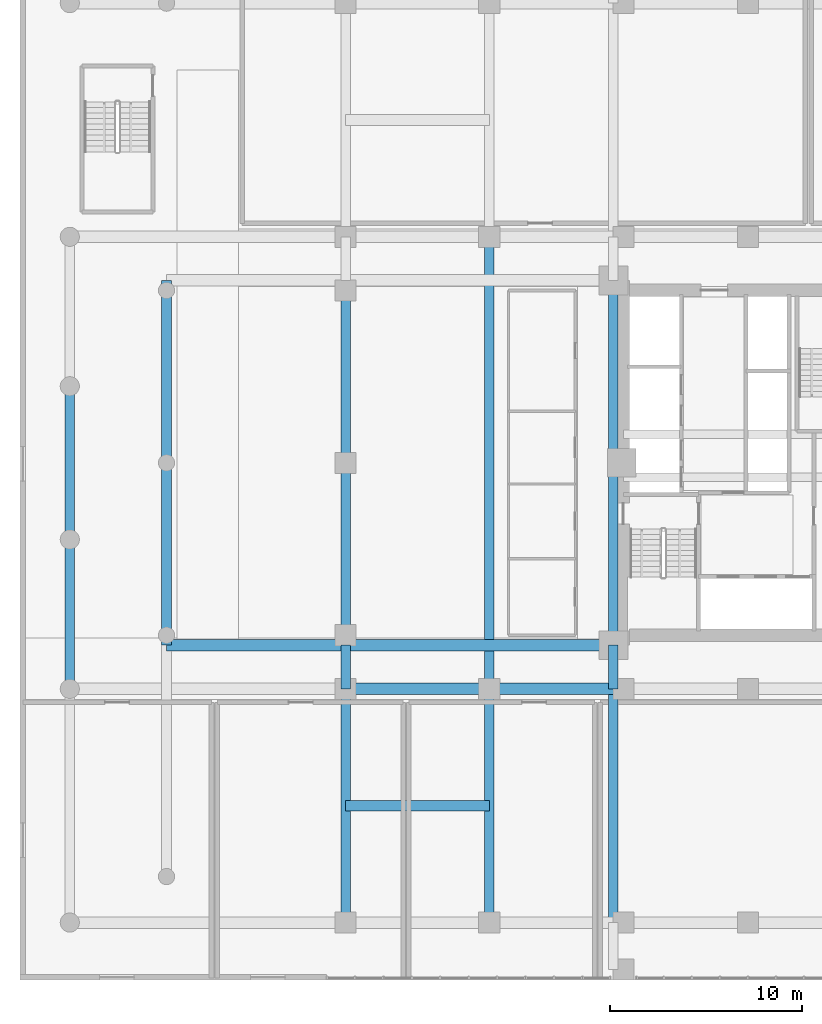
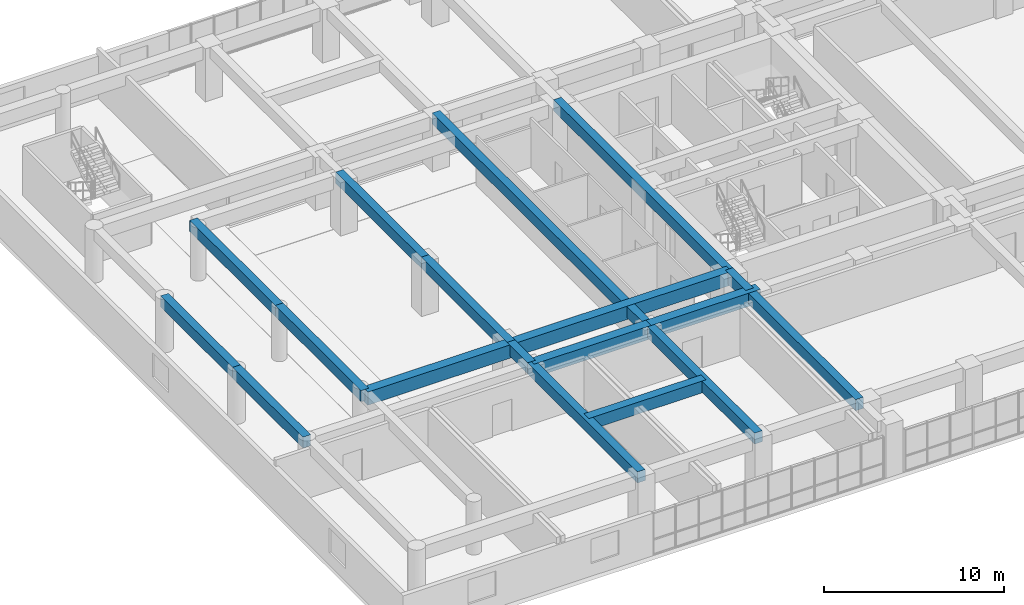
# One storey, part 5 of 30: 18 beams.
"""IFC4 building model written with IfcOpenShell, lengths in metres."""

from ifc_helpers import new_model, si_unit, direction, frame, origin, origin_2d, place, context, subcontext, project, spatial, rectangle, extrude, source, transform, mapped, material, material_profile, profile_set, type_object, element, save


model = new_model("IFC4")

# Units and contexts
model_context = context("Model", 3, precision=1e-05, world=origin(), true_north=direction((0.0, 1.0)))
body_context = subcontext(model_context, "Body", "Model", "MODEL_VIEW")
ifc_project = project(units=[si_unit("LENGTHUNIT", "METRE"), si_unit("AREAUNIT", "SQUARE_METRE"), si_unit("VOLUMEUNIT", "CUBIC_METRE"), si_unit("PLANEANGLEUNIT", "RADIAN"), si_unit("MASSUNIT", "GRAM", prefix="KILO")], contexts=[model_context])

# Site, building, storey
site_placement = place(None, origin())
site = spatial("IfcSite", under=ifc_project, at=site_placement, CompositionType="ELEMENT")
building_placement = place(site_placement, origin())
building = spatial("IfcBuilding", under=site, at=building_placement, Name="Saelheon Loggia Tower", CompositionType="ELEMENT")
storey_placement = place(building_placement, frame((0.0, 0.0, 7.800048828125)))
storey = spatial("IfcBuildingStorey", under=building, at=storey_placement, Name="L02", CompositionType="ELEMENT", Elevation=7.800048828125)

# Beams
ifc_material_1 = material(Name="Concrete C50/60", Category="concrete")
ifc_material_profile_1 = material_profile(ifc_material_1, rectangle(XDim=0.60009765625, YDim=0.89990234375, at=origin_2d()), Name="RC-600x900")
ifc_profile_set_1 = profile_set([ifc_material_profile_1], Name="Concrete C50/60")
beam_type_1 = type_object("IfcBeamType", Name="Beam_MainGirder_RC600x900", PredefinedType="BEAM", material=ifc_profile_set_1)
shared_shape_1 = source(origin(), body_context, "Body", "SweptSolid", [
    extrude(rectangle(XDim=0.60009765625, YDim=0.89990234375, at=origin_2d()), origin(), (0.0, 0.0, 1.0), 7.5),
])
beam_1_placement = place(storey_placement, frame((17.0, 15.199951171875, 3.14990234375), z_axis=(1.0, 0.0, 0.0), x_axis=(0.0, 1.0, 0.0)))
element("IfcBeam", 1, at=beam_1_placement, inside=storey, type_object=beam_type_1, Name="BM-L02-EW-15-2", PredefinedType="BEAM", context=body_context, shape_type="MappedRepresentation", body=[
    mapped(shared_shape_1, transform((0.0, 0.0, 0.0), scale=1.0)),
])
shared_shape_2 = source(origin(), body_context, "Body", "SweptSolid", [
    extrude(rectangle(XDim=0.60009765625, YDim=0.89990234375, at=origin_2d()), origin(), (0.0, 0.0, 1.0), 7.0),
])
beam_2_placement = place(storey_placement, frame((24.5, 15.199951171875, 3.14990234375), z_axis=(1.0, 0.0, 0.0), x_axis=(0.0, 1.0, 0.0)))
element("IfcBeam", 2, at=beam_2_placement, inside=storey, type_object=beam_type_1, Name="BM-L02-EW-15-3", PredefinedType="BEAM", context=body_context, shape_type="MappedRepresentation", body=[
    mapped(shared_shape_2, transform((0.0, 0.0, 0.0), scale=1.0)),
])
shared_shape_3 = source(origin(), body_context, "Body", "SweptSolid", [
    extrude(rectangle(XDim=0.60009765625, YDim=0.89990234375, at=origin_2d()), origin(), (0.0, 0.0, 1.0), 9.35009765625),
])
beam_3_placement = place(storey_placement, frame((7.64990234375, 17.47998046875, 3.14990234375), z_axis=(1.0, 0.0, 0.0), x_axis=(0.0, 1.0, 0.0)))
element("IfcBeam", 3, at=beam_3_placement, inside=storey, type_object=beam_type_1, Name="BM-L02-CT-17-W1", PredefinedType="BEAM", context=body_context, shape_type="MappedRepresentation", body=[
    mapped(shared_shape_3, transform((0.0, 0.0, 0.0), scale=1.0)),
])
shared_shape_4 = source(origin(), body_context, "Body", "SweptSolid", [
    extrude(rectangle(XDim=0.60009765625, YDim=0.89990234375, at=origin_2d()), origin(), (0.0, 0.0, 1.0), 13.97998046875),
])
beam_4_placement = place(storey_placement, frame((17.0, 17.47998046875, 3.14990234375), z_axis=(1.0, 0.0, 0.0), x_axis=(0.0, 1.0, 0.0)))
element("IfcBeam", 4, at=beam_4_placement, inside=storey, type_object=beam_type_1, Name="BM-L02-CT-17-W2", PredefinedType="BEAM", context=body_context, shape_type="MappedRepresentation", body=[
    mapped(shared_shape_4, transform((0.0, 0.0, 0.0), scale=1.0)),
])
ifc_material_2 = material(Name="Concrete C45/55", Category="concrete")
ifc_material_profile_2 = material_profile(ifc_material_2, rectangle(XDim=0.5, YDim=0.75, at=origin_2d()), Name="RC-500x750")
ifc_profile_set_2 = profile_set([ifc_material_profile_2], Name="Concrete C45/55")
beam_type_2 = type_object("IfcBeamType", Name="Beam_FloorGirder_RC500x750", PredefinedType="BEAM", material=ifc_profile_set_2)
shared_shape_5 = source(origin(), body_context, "Body", "SweptSolid", [
    extrude(rectangle(XDim=0.5, YDim=0.75, at=origin_2d()), origin(), (0.0, 0.0, 1.0), 12.199951171875),
])
for number, where, z_axis, x_axis, name in (
    (5, (17.0, 3.0, 3.224853515625), (0.0, 1.0, 0.0), (-1.0, 0.0, 0.0), "BM-L02-NS-17-1"),
    (6, (24.5, 3.0, 3.224853515625), (0.0, 1.0, 0.0), (-1.0, 0.0, 0.0), "BM-L02-NS-24-1"),
    (7, (30.97998046875, 3.0, 3.224853515625), (0.0, 1.0, 0.0), (-1.0, 0.0, 0.0), "BM-L02-NS-30-2"),
):
    element("IfcBeam", number, at=place(storey_placement, frame(where, z_axis=z_axis, x_axis=x_axis)), inside=storey, type_object=beam_type_2, Name=name, PredefinedType="BEAM", context=body_context, shape_type="MappedRepresentation", body=[
        mapped(shared_shape_5, transform((0.0, 0.0, 0.0), scale=1.0)),
    ])
ifc_material_profile_3 = material_profile(ifc_material_2, rectangle(XDim=0.5, YDim=0.75, at=origin_2d()), Name="RC-500x750")
ifc_profile_set_3 = profile_set([ifc_material_profile_3], Name="Concrete C45/55")
beam_type_3 = type_object("IfcBeamType", Name="Beam_PerimGirder_RC500x750", PredefinedType="BEAM", material=ifc_profile_set_3)
shared_shape_6 = source(origin(), body_context, "Body", "SweptSolid", [
    extrude(rectangle(XDim=0.5, YDim=0.75, at=origin_2d()), origin(), (0.0, 0.0, 1.0), 7.800048828125),
])
beam_5_placement = place(storey_placement, frame((2.60009765625, 15.199951171875, 3.224853515625), z_axis=(0.0, 1.0, 0.0), x_axis=(-1.0, 0.0, 0.0)))
element("IfcBeam", 8, at=beam_5_placement, inside=storey, type_object=beam_type_3, Name="BM-L02-NS-2-2", PredefinedType="BEAM", context=body_context, shape_type="MappedRepresentation", body=[
    mapped(shared_shape_6, transform((0.0, 0.0, 0.0), scale=1.0)),
])
shared_shape_7 = source(origin(), body_context, "Body", "SweptSolid", [
    extrude(rectangle(XDim=0.5, YDim=0.75, at=origin_2d()), origin(), (0.0, 0.0, 1.0), 8.0),
])
beam_6_placement = place(storey_placement, frame((2.60009765625, 23.0, 3.224853515625), z_axis=(0.0, 1.0, 0.0), x_axis=(-1.0, 0.0, 0.0)))
element("IfcBeam", 9, at=beam_6_placement, inside=storey, type_object=beam_type_3, Name="BM-L02-NS-2-3", PredefinedType="BEAM", context=body_context, shape_type="MappedRepresentation", body=[
    mapped(shared_shape_7, transform((0.0, 0.0, 0.0), scale=1.0)),
])
shared_shape_8 = source(origin(), body_context, "Body", "SweptSolid", [
    extrude(rectangle(XDim=0.5, YDim=0.75, at=origin_2d()), origin(), (0.0, 0.0, 1.0), 9.52001953125),
])
for number, where, z_axis, x_axis, name in (
    (10, (7.64990234375, 17.47998046875, 3.224853515625), (0.0, 1.0, 0.0), (-1.0, 0.0, 0.0), "BM-L02-NS-7-2"),
    (11, (7.64990234375, 27.0, 3.224853515625), (0.0, 1.0, 0.0), (-1.0, 0.0, 0.0), "BM-L02-NS-7-3"),
    (12, (17.0, 17.47998046875, 3.224853515625), (0.0, 1.0, 0.0), (-1.0, 0.0, 0.0), "BM-L02-NS-17-3"),
    (13, (17.0, 27.0, 3.224853515625), (0.0, 1.0, 0.0), (-1.0, 0.0, 0.0), "BM-L02-NS-17-4"),
):
    element("IfcBeam", number, at=place(storey_placement, frame(where, z_axis=z_axis, x_axis=x_axis)), inside=storey, type_object=beam_type_2, Name=name, PredefinedType="BEAM", context=body_context, shape_type="MappedRepresentation", body=[
        mapped(shared_shape_8, transform((0.0, 0.0, 0.0), scale=1.0)),
    ])
shared_shape_9 = source(origin(), body_context, "Body", "SweptSolid", [
    extrude(rectangle(XDim=0.5, YDim=0.75, at=origin_2d()), origin(), (0.0, 0.0, 1.0), 2.280029296875),
])
for number, where, z_axis, x_axis, name in (
    (14, (17.0, 15.199951171875, 3.224853515625), (0.0, 1.0, 0.0), (-1.0, 0.0, 0.0), "BM-L02-NS-17-2"),
    (15, (30.97998046875, 15.199951171875, 3.224853515625), (0.0, 1.0, 0.0), (-1.0, 0.0, 0.0), "BM-L02-NS-30-3"),
):
    element("IfcBeam", number, at=place(storey_placement, frame(where, z_axis=z_axis, x_axis=x_axis)), inside=storey, type_object=beam_type_2, Name=name, PredefinedType="BEAM", context=body_context, shape_type="MappedRepresentation", body=[
        mapped(shared_shape_9, transform((0.0, 0.0, 0.0), scale=1.0)),
    ])
shared_shape_10 = source(origin(), body_context, "Body", "SweptSolid", [
    extrude(rectangle(XDim=0.5, YDim=0.75, at=origin_2d()), origin(), (0.0, 0.0, 1.0), 23.60009765625),
])
beam_7_placement = place(storey_placement, frame((24.5, 15.199951171875, 3.224853515625), z_axis=(0.0, 1.0, 0.0), x_axis=(-1.0, 0.0, 0.0)))
element("IfcBeam", 16, at=beam_7_placement, inside=storey, type_object=beam_type_2, Name="BM-L02-NS-24-2", PredefinedType="BEAM", context=body_context, shape_type="MappedRepresentation", body=[
    mapped(shared_shape_10, transform((0.0, 0.0, 0.0), scale=1.0)),
])
shared_shape_11 = source(origin(), body_context, "Body", "SweptSolid", [
    extrude(rectangle(XDim=0.5, YDim=0.75, at=origin_2d()), origin(), (0.0, 0.0, 1.0), 19.0400390625),
])
beam_8_placement = place(storey_placement, frame((30.97998046875, 17.47998046875, 3.224853515625), z_axis=(0.0, 1.0, 0.0), x_axis=(-1.0, 0.0, 0.0)))
element("IfcBeam", 17, at=beam_8_placement, inside=storey, type_object=beam_type_2, Name="BM-L02-NS-30-4", PredefinedType="BEAM", context=body_context, shape_type="MappedRepresentation", body=[
    mapped(shared_shape_11, transform((0.0, 0.0, 0.0), scale=1.0)),
])
ifc_material_profile_4 = material_profile(ifc_material_2, rectangle(XDim=0.550048828125, YDim=0.800048828125, at=origin_2d()), Name="RC-550x800")
ifc_profile_set_4 = profile_set([ifc_material_profile_4], Name="Concrete C45/55")
beam_type_4 = type_object("IfcBeamType", Name="Beam_ClinicGirder_RC550x800", PredefinedType="BEAM", material=ifc_profile_set_4)
shared_shape_12 = source(origin(), body_context, "Body", "SweptSolid", [
    extrude(rectangle(XDim=0.550048828125, YDim=0.800048828125, at=origin_2d()), origin(), (0.0, 0.0, 1.0), 7.5),
])
beam_9_placement = place(storey_placement, frame((17.0, 9.10009765625, 3.199951171875), z_axis=(1.0, 0.0, 0.0), x_axis=(0.0, 1.0, 0.0)))
element("IfcBeam", 18, at=beam_9_placement, inside=storey, type_object=beam_type_4, Name="JST-L02-CL-SW", PredefinedType="BEAM", context=body_context, shape_type="MappedRepresentation", body=[
    mapped(shared_shape_12, transform((0.0, 0.0, 0.0), scale=1.0)),
])

save(model, "model.ifc")
